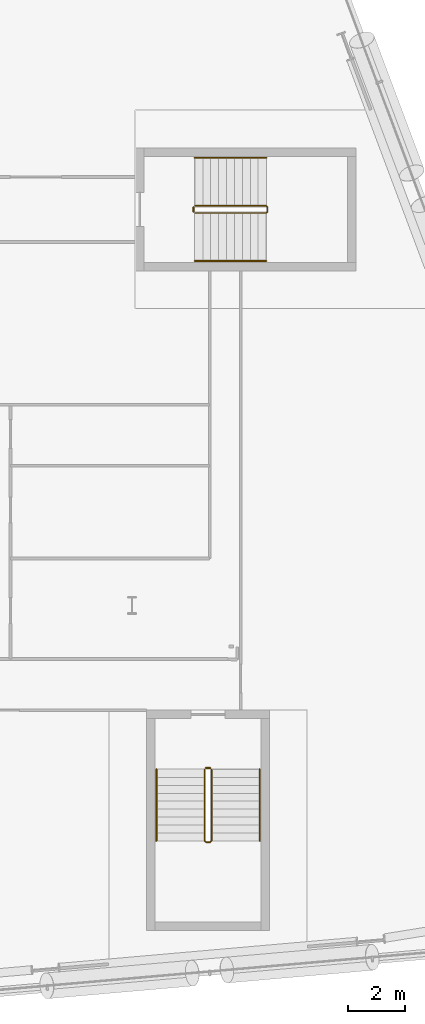
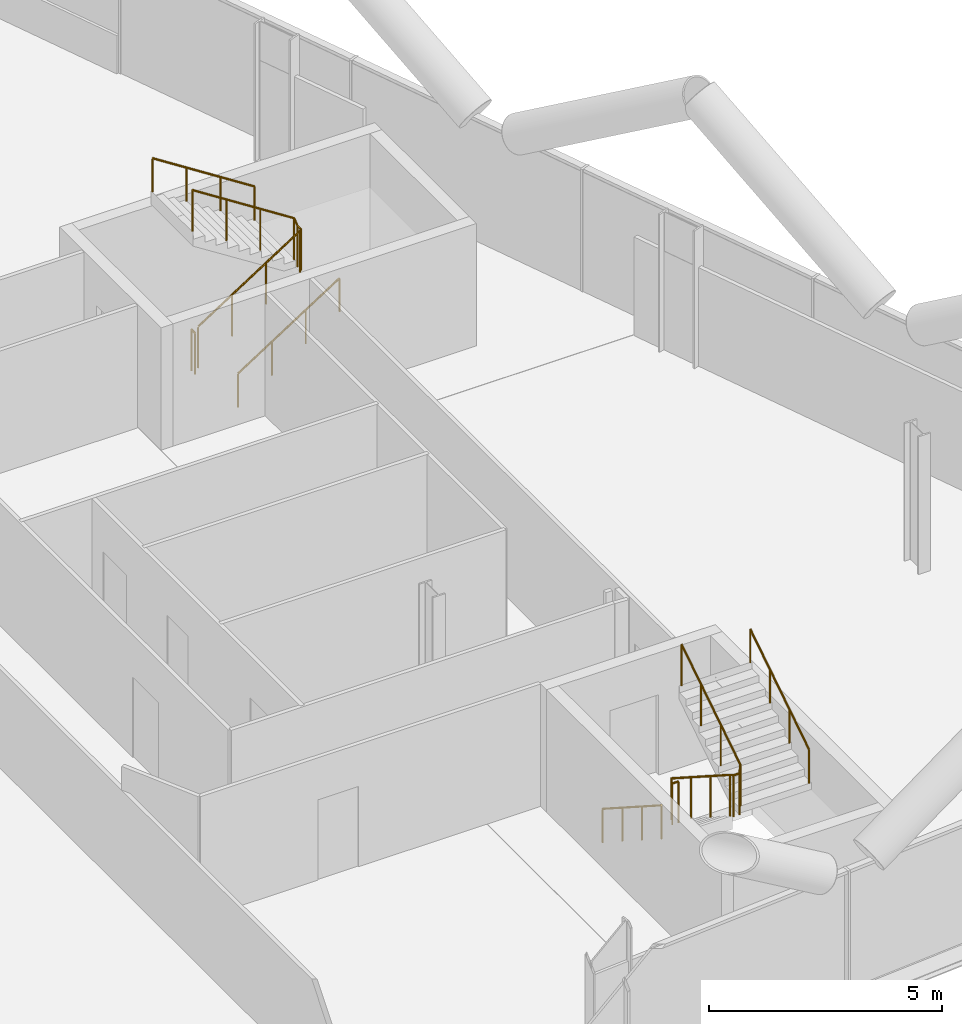
# One storey, part 25 of 25: 8 railings.
"""IFC4 building model written with IfcOpenShell, lengths in metres."""

import ifcopenshell
import ifcopenshell.guid

model = None  # the IFC model being written
_history = None  # IfcOwnerHistory: only IFC2X3 demands one
_inside = {}  # id of a spatial element -> (the spatial element, [elements in it])
_under = {}  # id of a project, library or spatial element -> (it, [spatial elements below it])
_declared = {}  # id of a project -> (the project, [libraries it declares])
_typed = {}  # id of a type object -> (the type object, [elements of that type])
_made_of = {}  # id of a material, layer set ... -> (it, [elements and type objects made of it])


def new_model(schema):
    """Start an empty IFC model of exactly this schema.

    Asked for "IFC4X3", IfcOpenShell would pick the latest addendum, in which some entities
    have other attributes; the version numbers below select the first issue.
    IFC2X3 requires an IfcOwnerHistory on every rooted entity: one is made here for all.
    """
    global model, _history
    if schema == "IFC4X3":
        model = ifcopenshell.file(schema_version=(4, 3, 0, 0))
    else:
        model = ifcopenshell.file(schema=schema)
    _inside.clear()
    _under.clear()
    _declared.clear()
    _typed.clear()
    _made_of.clear()
    _history = None
    if model.schema == "IFC2X3":
        org = make("IfcOrganization", Name="unknown")
        user = make(
            "IfcPersonAndOrganization",
            ThePerson=make("IfcPerson", FamilyName="unknown"),
            TheOrganization=org,
        )
        app = make(
            "IfcApplication",
            ApplicationDeveloper=org,
            Version="unknown",
            ApplicationFullName="unknown",
            ApplicationIdentifier="unknown",
        )
        _history = make(
            "IfcOwnerHistory",
            OwningUser=user,
            OwningApplication=app,
            ChangeAction="ADDED",
            CreationDate=0,
        )
    return model


def make(cls, **values):
    """One entity of the class cls with the attributes given. An attribute that is None is left unset."""
    return model.create_entity(
        cls, **{name: value for name, value in values.items() if value is not None}
    )


def rooted(cls, **values):
    """An entity with a GlobalId (a new one), such as an element, a storey or a relation."""
    return make(cls, GlobalId=ifcopenshell.guid.new(), OwnerHistory=_history, **values)


def si_unit(unit_type, name, prefix=None):
    """IfcSIUnit, for example si_unit("LENGTHUNIT", "METRE", prefix="MILLI")."""
    return make("IfcSIUnit", UnitType=unit_type, Prefix=prefix, Name=name)


def assignment(units):
    """IfcUnitAssignment: the units of a project."""
    return None if units is None else make("IfcUnitAssignment", Units=units)


def point(xyz):
    """IfcCartesianPoint."""
    return None if xyz is None else make("IfcCartesianPoint", Coordinates=xyz)


def direction(xyz):
    """IfcDirection."""
    return None if xyz is None else make("IfcDirection", DirectionRatios=xyz)


def frame(location, z_axis=None, x_axis=None):
    """IfcAxis2Placement3D, a coordinate frame: its origin and axes. An axis left out is left unset."""
    return make(
        "IfcAxis2Placement3D",
        Location=point(location),
        Axis=direction(z_axis),
        RefDirection=direction(x_axis),
    )


def frame_2d(location, x_axis=None):
    """IfcAxis2Placement2D, a coordinate frame in the plane: its origin and x axis."""
    return make(
        "IfcAxis2Placement2D", Location=point(location), RefDirection=direction(x_axis)
    )


def origin():
    """The frame at (0, 0, 0) with its axes left unset."""
    return frame((0.0, 0.0, 0.0))


def origin_2d():
    """The frame at (0, 0) in the plane with its x axis left unset."""
    return frame_2d((0.0, 0.0))


def place(relative_to, where):
    """IfcLocalPlacement: puts the frame where relative to a parent placement (None: the world)."""
    return make(
        "IfcLocalPlacement", PlacementRelTo=relative_to, RelativePlacement=where
    )


def context(
    kind, dimensions, precision=None, world=None, true_north=None, identifier=None
):
    """IfcGeometricRepresentationContext, for example the 3D "Model" context."""
    return make(
        "IfcGeometricRepresentationContext",
        ContextIdentifier=identifier,
        ContextType=kind,
        CoordinateSpaceDimension=dimensions,
        Precision=precision,
        WorldCoordinateSystem=world,
        TrueNorth=true_north,
    )


def subcontext(parent, identifier, kind, view, scale=None):
    """IfcGeometricRepresentationSubContext, for example "Body" below "Model"."""
    return make(
        "IfcGeometricRepresentationSubContext",
        ContextIdentifier=identifier,
        ContextType=kind,
        ParentContext=parent,
        TargetScale=scale,
        TargetView=view,
    )


def project(units=None, contexts=None):
    """IfcProject with its units and contexts."""
    return rooted(
        "IfcProject",
        Name="project",
        RepresentationContexts=contexts,
        UnitsInContext=assignment(units),
    )


def spatial(cls, under=None, at=None, **own):
    """A site, building, storey or space (cls), placed at a placement, below another one or the project."""
    s = rooted(cls, ObjectPlacement=at, **own)
    if under is not None:
        _under.setdefault(under.id(), (under, []))[1].append(s)
    return s


def profile(cls, at=None, kind="AREA", **sizes):
    """A parametric profile (cls). Its sizes go by their IFC names, for example OverallWidth=200.0."""
    return make(cls, ProfileType=kind, Position=at, **sizes)


def circle(**sizes):
    """IfcCircleProfileDef."""
    return profile("IfcCircleProfileDef", **sizes)


def extrude(swept, where, along, depth):
    """IfcExtrudedAreaSolid: the profile swept, set in the frame where, extruded along a direction by depth."""
    return make(
        "IfcExtrudedAreaSolid",
        SweptArea=swept,
        Position=where,
        ExtrudedDirection=direction(along),
        Depth=depth,
    )


def shape(context_of_items, identifier, shape_type, items):
    """IfcShapeRepresentation: the items that make up one representation, for example the "Body"."""
    return make(
        "IfcShapeRepresentation",
        ContextOfItems=context_of_items,
        RepresentationIdentifier=identifier,
        RepresentationType=shape_type,
        Items=items,
    )


def material(Name=None, Category=None):
    """IfcMaterial."""
    return make("IfcMaterial", Name=Name, Category=Category)


def made_of(thing, what):
    """Note that an element or type object is made of a material, layer set ...; save() writes the relation."""
    if what is not None:
        _made_of.setdefault(what.id(), (what, []))[1].append(thing)
    return thing


def type_object(cls, material=None, **own):
    """A type object (cls), such as IfcWallType, which elements share."""
    return made_of(rooted(cls, **own), material)


def element(
    cls,
    number,
    at=None,
    inside=None,
    cuts=None,
    type_object=None,
    material=None,
    context=None,
    identifier="Body",
    shape_type=None,
    held_by="IfcProductDefinitionShape",
    body=None,
    shapes=None,
    **own,
):
    """One element of the class cls, such as IfcWall. Its Tag is "e" and its number.

    at: its placement. inside: the storey or other place that contains it. cuts: it is an
    opening in that element (IfcRelVoidsElement). A single representation is given by context,
    identifier, shape_type and body (its items); several are given by shapes. held_by: the class
    of the entity that holds the representations. save() writes the other relations.
    """
    e = rooted(cls, Tag="e%d" % number, ObjectPlacement=at, **own)
    if body is not None:
        shapes = [shape(context, identifier, shape_type, body)]
    if shapes is not None:
        e.Representation = make(held_by, Representations=shapes)
    if inside is not None:
        _inside.setdefault(inside.id(), (inside, []))[1].append(e)
    if cuts is not None:
        rooted(
            "IfcRelVoidsElement", RelatingBuildingElement=cuts, RelatedOpeningElement=e
        )
    if type_object is not None:
        _typed.setdefault(type_object.id(), (type_object, []))[1].append(e)
    return made_of(e, material)


def aggregate(whole, parts):
    """IfcRelAggregates: a whole, such as a stair, and the parts it consists of."""
    return rooted("IfcRelAggregates", RelatingObject=whole, RelatedObjects=parts)


def save(model, path):
    """Write the relations noted so far, then the file.

    IfcRelAggregates (storeys below a building ...), IfcRelContainedInSpatialStructure (elements
    in a storey), IfcRelDefinesByType, IfcRelAssociatesMaterial and IfcRelDeclares: one each for
    every whole, place, type object, material and project.
    """
    for whole, parts in _under.values():
        aggregate(whole, parts)
    for where, things in _inside.values():
        rooted(
            "IfcRelContainedInSpatialStructure",
            RelatedElements=things,
            RelatingStructure=where,
        )
    for kind, things in _typed.values():
        rooted("IfcRelDefinesByType", RelatedObjects=things, RelatingType=kind)
    for what, things in _made_of.values():
        rooted("IfcRelAssociatesMaterial", RelatedObjects=things, RelatingMaterial=what)
    for by, libraries in _declared.values():
        rooted("IfcRelDeclares", RelatingContext=by, RelatedDefinitions=libraries)
    model.write(path)


model = new_model("IFC4")

# Units and contexts
model_context = context("Model", 3, precision=1e-05, world=origin(), true_north=direction((0.0, 1.0)))
body_context = subcontext(model_context, "Body", "Model", "MODEL_VIEW")
ifc_project = project(units=[si_unit("LENGTHUNIT", "METRE"), si_unit("AREAUNIT", "SQUARE_METRE"), si_unit("VOLUMEUNIT", "CUBIC_METRE"), si_unit("PLANEANGLEUNIT", "RADIAN"), si_unit("MASSUNIT", "GRAM", prefix="KILO")], contexts=[model_context])

# Site, building, storey
site_placement = place(None, origin())
site = spatial("IfcSite", under=ifc_project, at=site_placement, CompositionType="ELEMENT")
building_placement = place(site_placement, origin())
building = spatial("IfcBuilding", under=site, at=building_placement, Name="Wharfspan Tower", CompositionType="ELEMENT")
storey_placement = place(building_placement, frame((0.0, 0.0, 70.300049)))
storey = spatial("IfcBuildingStorey", under=building, at=storey_placement, Name="L14", CompositionType="ELEMENT", Elevation=70.300049)

# Railings
ifc_material = material(Name="Steel S355J2", Category="steel")
railing_type_1 = type_object("IfcRailingType", Name="Stair guard 1100", PredefinedType="GUARDRAIL", material=ifc_material)
railing_1_placement = place(storey_placement, frame((74.567383, 5.691895, 0.179932)))
element("IfcRailing", 1, at=railing_1_placement, inside=storey, type_object=railing_type_1, Name="L14 ST5 stair guard 1", PredefinedType="GUARDRAIL", context=body_context, shape_type="SweptSolid", body=[
    extrude(circle(Radius=0.023926, at=origin_2d()), frame((0.0, 0.0, 1.076172), z_axis=(0.0, -0.841139, 0.540819), x_axis=(1.0, 0.0, 0.0)), (0.0, 0.0, 1.0), 2.995605),
    extrude(circle(Radius=0.023926, at=origin_2d()), frame((0.0, -2.519775, 2.696289), z_axis=(0.707107, -0.707107, 0.0), x_axis=(0.707107, 0.707107, 0.0)), (0.0, 0.0, 1.0), 0.070801),
    extrude(circle(Radius=0.023926, at=origin_2d()), frame((0.050049, -2.569824, 2.696289), z_axis=(1.0, 0.0, 0.0), x_axis=(0.0, 1.0, 0.0)), (0.0, 0.0, 1.0), 0.150146),
    extrude(circle(Radius=0.023926, at=origin_2d()), frame((0.200195, -2.569824, 2.696289), z_axis=(0.257669, 0.258932, 0.930892), x_axis=(-0.708833, 0.705372, 1e-06)), (0.0, 0.0, 1.0), 0.193359),
    extrude(circle(Radius=0.023926, at=origin_2d()), frame((0.25, -2.519775, 2.875977), z_axis=(0.0, 0.841176, 0.540762), x_axis=(-1.0, 0.0, 0.0)), (0.0, 0.0, 1.0), 2.995605),
    extrude(circle(Radius=0.020996, at=origin_2d()), origin(), (0.0, 0.0, 1.0), 1.052002),
    extrude(circle(Radius=0.020996, at=origin_2d()), frame((0.0, -0.839844, 0.540039)), (0.0, 0.0, 1.0), 1.052002),
    extrude(circle(Radius=0.020996, at=origin_2d()), frame((0.0, -1.679932, 1.080078)), (0.0, 0.0, 1.0), 1.052002),
    extrude(circle(Radius=0.020996, at=origin_2d()), frame((0.0, -2.519775, 1.620117)), (0.0, 0.0, 1.0), 1.052002),
    extrude(circle(Radius=0.020996, at=origin_2d()), frame((0.050049, -2.569824, 1.620117)), (0.0, 0.0, 1.0), 1.052002),
    extrude(circle(Radius=0.020996, at=origin_2d()), frame((0.200195, -2.569824, 1.620117)), (0.0, 0.0, 1.0), 1.052002),
    extrude(circle(Radius=0.020996, at=origin_2d()), frame((0.25, -2.519775, 1.800049)), (0.0, 0.0, 1.0), 1.052002),
    extrude(circle(Radius=0.020996, at=origin_2d()), frame((0.25, -1.679932, 2.340088)), (0.0, 0.0, 1.0), 1.052002),
    extrude(circle(Radius=0.020996, at=origin_2d()), frame((0.25, -0.839844, 2.879883)), (0.0, 0.0, 1.0), 1.052002),
    extrude(circle(Radius=0.020996, at=origin_2d()), frame((0.25, 0.0, 3.419922)), (0.0, 0.0, 1.0), 1.052002),
])
railing_2_placement = place(storey_placement, frame((74.617432, 5.741943, 0.0)))
element("IfcRailing", 2, at=railing_2_placement, inside=storey, type_object=railing_type_1, Name="L14 ST5 stair guard 2", PredefinedType="GUARDRAIL", context=body_context, shape_type="SweptSolid", body=[
    extrude(circle(Radius=0.023926, at=origin_2d()), frame((0.0, 0.0, 1.076172), z_axis=(1.0, 0.0, 0.0), x_axis=(0.0, 1.0, 0.0)), (0.0, 0.0, 1.0), 0.150146),
    extrude(circle(Radius=0.020996, at=origin_2d()), origin(), (0.0, 0.0, 1.0), 1.052002),
    extrude(circle(Radius=0.020996, at=origin_2d()), frame((0.150146, 0.0, 0.0)), (0.0, 0.0, 1.0), 1.052002),
])
railing_3_placement = place(storey_placement, frame((74.225098, 25.375, 0.179932)))
element("IfcRailing", 3, at=railing_3_placement, inside=storey, type_object=railing_type_1, Name="L14 ST6 stair guard 1", PredefinedType="GUARDRAIL", context=body_context, shape_type="SweptSolid", body=[
    extrude(circle(Radius=0.023926, at=origin_2d()), frame((0.0, 0.0, 1.076172), z_axis=(0.841163, 0.0, 0.540782), x_axis=(0.0, 1.0, 0.0)), (0.0, 0.0, 1.0), 2.99585),
    extrude(circle(Radius=0.023926, at=origin_2d()), frame((2.52002, 0.0, 2.696289), z_axis=(0.705376, 0.708834, 0.0), x_axis=(-0.708834, 0.705376, 0.0)), (0.0, 0.0, 1.0), 0.070557),
    extrude(circle(Radius=0.023926, at=origin_2d()), frame((2.569824, 0.050049, 2.696289), z_axis=(0.0, 1.0, 0.0), x_axis=(-1.0, 0.0, 0.0)), (0.0, 0.0, 1.0), 0.149902),
    extrude(circle(Radius=0.023926, at=origin_2d()), frame((2.569824, 0.199951, 2.696289), z_axis=(-0.257669, 0.258932, 0.930892), x_axis=(-0.708833, -0.705372, -1e-06)), (0.0, 0.0, 1.0), 0.193359),
    extrude(circle(Radius=0.023926, at=origin_2d()), frame((2.52002, 0.25, 2.875977), z_axis=(-0.8412, 0.0, 0.540725), x_axis=(0.0, -1.0, 0.0)), (0.0, 0.0, 1.0), 2.99585),
    extrude(circle(Radius=0.020996, at=origin_2d()), origin(), (0.0, 0.0, 1.0), 1.052002),
    extrude(circle(Radius=0.020996, at=origin_2d()), frame((0.840088, 0.0, 0.540039)), (0.0, 0.0, 1.0), 1.052002),
    extrude(circle(Radius=0.020996, at=origin_2d()), frame((1.679932, 0.0, 1.080078)), (0.0, 0.0, 1.0), 1.052002),
    extrude(circle(Radius=0.020996, at=origin_2d()), frame((2.52002, 0.0, 1.620117)), (0.0, 0.0, 1.0), 1.052002),
    extrude(circle(Radius=0.020996, at=origin_2d()), frame((2.569824, 0.050049, 1.620117)), (0.0, 0.0, 1.0), 1.052002),
    extrude(circle(Radius=0.020996, at=origin_2d()), frame((2.569824, 0.199951, 1.620117)), (0.0, 0.0, 1.0), 1.052002),
    extrude(circle(Radius=0.020996, at=origin_2d()), frame((2.52002, 0.25, 1.800049)), (0.0, 0.0, 1.0), 1.052002),
    extrude(circle(Radius=0.020996, at=origin_2d()), frame((1.679932, 0.25, 2.340088)), (0.0, 0.0, 1.0), 1.052002),
    extrude(circle(Radius=0.020996, at=origin_2d()), frame((0.840088, 0.25, 2.879883)), (0.0, 0.0, 1.0), 1.052002),
    extrude(circle(Radius=0.020996, at=origin_2d()), frame((0.0, 0.25, 3.419922)), (0.0, 0.0, 1.0), 1.052002),
])
railing_4_placement = place(storey_placement, frame((74.175049, 25.425049, 0.0)))
element("IfcRailing", 4, at=railing_4_placement, inside=storey, type_object=railing_type_1, Name="L14 ST6 stair guard 2", PredefinedType="GUARDRAIL", context=body_context, shape_type="SweptSolid", body=[
    extrude(circle(Radius=0.023926, at=origin_2d()), frame((0.0, 0.0, 1.076172), z_axis=(0.0, 1.0, 0.0), x_axis=(-1.0, 0.0, 0.0)), (0.0, 0.0, 1.0), 0.149902),
    extrude(circle(Radius=0.020996, at=origin_2d()), origin(), (0.0, 0.0, 1.0), 1.052002),
    extrude(circle(Radius=0.020996, at=origin_2d()), frame((0.0, 0.149902, 0.0)), (0.0, 0.0, 1.0), 1.052002),
])
railing_type_2 = type_object("IfcRailingType", Name="Stair handrail 900", PredefinedType="HANDRAIL", material=ifc_material)
railing_5_placement = place(storey_placement, frame((72.867432, 5.691895, 0.179932)))
element("IfcRailing", 5, at=railing_5_placement, inside=storey, type_object=railing_type_2, Name="L14 ST5 stair handrail 1", PredefinedType="HANDRAIL", context=body_context, shape_type="SweptSolid", body=[
    extrude(circle(Radius=0.023926, at=origin_2d()), frame((0.0, 0.0, 0.875977), z_axis=(0.0, -0.841139, 0.540819), x_axis=(1.0, 0.0, 0.0)), (0.0, 0.0, 1.0), 2.995605),
    extrude(circle(Radius=0.020996, at=origin_2d()), origin(), (0.0, 0.0, 1.0), 0.851807),
    extrude(circle(Radius=0.020996, at=origin_2d()), frame((0.0, -0.839844, 0.540039)), (0.0, 0.0, 1.0), 0.851807),
    extrude(circle(Radius=0.020996, at=origin_2d()), frame((0.0, -1.679932, 1.080078)), (0.0, 0.0, 1.0), 0.851807),
    extrude(circle(Radius=0.020996, at=origin_2d()), frame((0.0, -2.519775, 1.620117)), (0.0, 0.0, 1.0), 0.851807),
])
railing_6_placement = place(storey_placement, frame((76.517578, 3.172119, 1.97998)))
element("IfcRailing", 6, at=railing_6_placement, inside=storey, type_object=railing_type_2, Name="L14 ST5 stair handrail 2", PredefinedType="HANDRAIL", context=body_context, shape_type="SweptSolid", body=[
    extrude(circle(Radius=0.023926, at=origin_2d()), frame((0.0, 0.0, 0.875977), z_axis=(0.0, 0.841176, 0.540762), x_axis=(-1.0, 0.0, 0.0)), (0.0, 0.0, 1.0), 2.995605),
    extrude(circle(Radius=0.020996, at=origin_2d()), origin(), (0.0, 0.0, 1.0), 0.851807),
    extrude(circle(Radius=0.020996, at=origin_2d()), frame((0.0, 0.839844, 0.540039)), (0.0, 0.0, 1.0), 0.851807),
    extrude(circle(Radius=0.020996, at=origin_2d()), frame((0.0, 1.679932, 1.079834)), (0.0, 0.0, 1.0), 0.851807),
    extrude(circle(Radius=0.020996, at=origin_2d()), frame((0.0, 2.519775, 1.619873)), (0.0, 0.0, 1.0), 0.851807),
])
railing_7_placement = place(storey_placement, frame((74.225098, 23.675049, 0.179932)))
element("IfcRailing", 7, at=railing_7_placement, inside=storey, type_object=railing_type_2, Name="L14 ST6 stair handrail 1", PredefinedType="HANDRAIL", context=body_context, shape_type="SweptSolid", body=[
    extrude(circle(Radius=0.023926, at=origin_2d()), frame((0.0, 0.0, 0.875977), z_axis=(0.841163, 0.0, 0.540782), x_axis=(0.0, 1.0, 0.0)), (0.0, 0.0, 1.0), 2.99585),
    extrude(circle(Radius=0.020996, at=origin_2d()), origin(), (0.0, 0.0, 1.0), 0.851807),
    extrude(circle(Radius=0.020996, at=origin_2d()), frame((0.840088, 0.0, 0.540039)), (0.0, 0.0, 1.0), 0.851807),
    extrude(circle(Radius=0.020996, at=origin_2d()), frame((1.679932, 0.0, 1.080078)), (0.0, 0.0, 1.0), 0.851807),
    extrude(circle(Radius=0.020996, at=origin_2d()), frame((2.52002, 0.0, 1.620117)), (0.0, 0.0, 1.0), 0.851807),
])
railing_8_placement = place(storey_placement, frame((76.745117, 27.324951, 1.97998)))
element("IfcRailing", 8, at=railing_8_placement, inside=storey, type_object=railing_type_2, Name="L14 ST6 stair handrail 2", PredefinedType="HANDRAIL", context=body_context, shape_type="SweptSolid", body=[
    extrude(circle(Radius=0.023926, at=origin_2d()), frame((0.0, 0.0, 0.875977), z_axis=(-0.8412, 0.0, 0.540725), x_axis=(0.0, -1.0, 0.0)), (0.0, 0.0, 1.0), 2.99585),
    extrude(circle(Radius=0.020996, at=origin_2d()), origin(), (0.0, 0.0, 1.0), 0.851807),
    extrude(circle(Radius=0.020996, at=origin_2d()), frame((-0.840088, 0.0, 0.540039)), (0.0, 0.0, 1.0), 0.851807),
    extrude(circle(Radius=0.020996, at=origin_2d()), frame((-1.679932, 0.0, 1.079834)), (0.0, 0.0, 1.0), 0.851807),
    extrude(circle(Radius=0.020996, at=origin_2d()), frame((-2.52002, 0.0, 1.619873)), (0.0, 0.0, 1.0), 0.851807),
])

save(model, "model.ifc")
